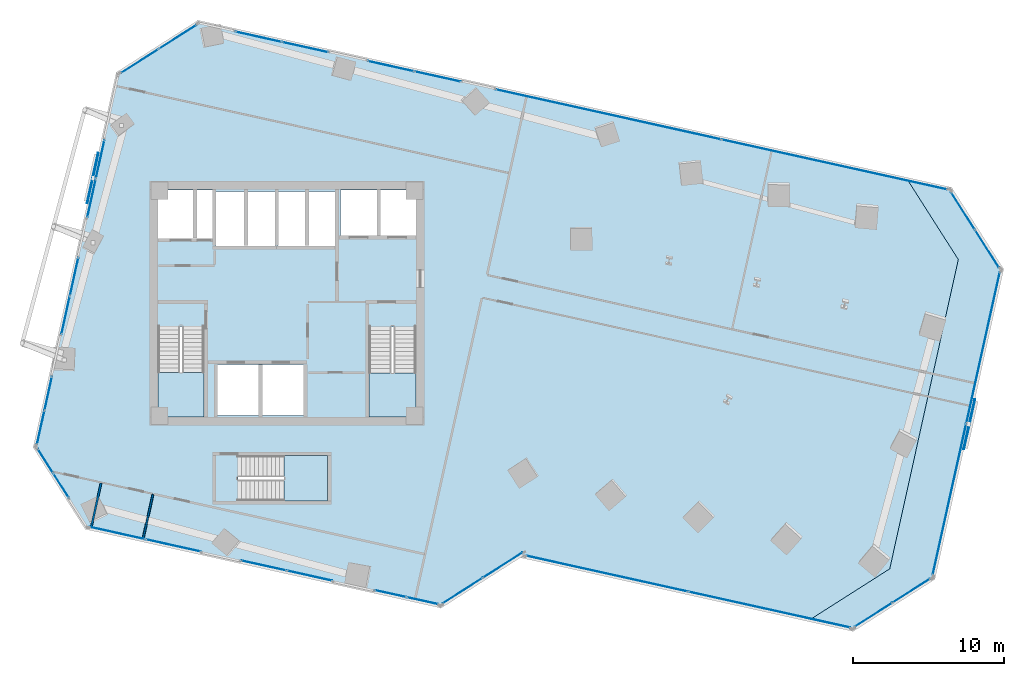
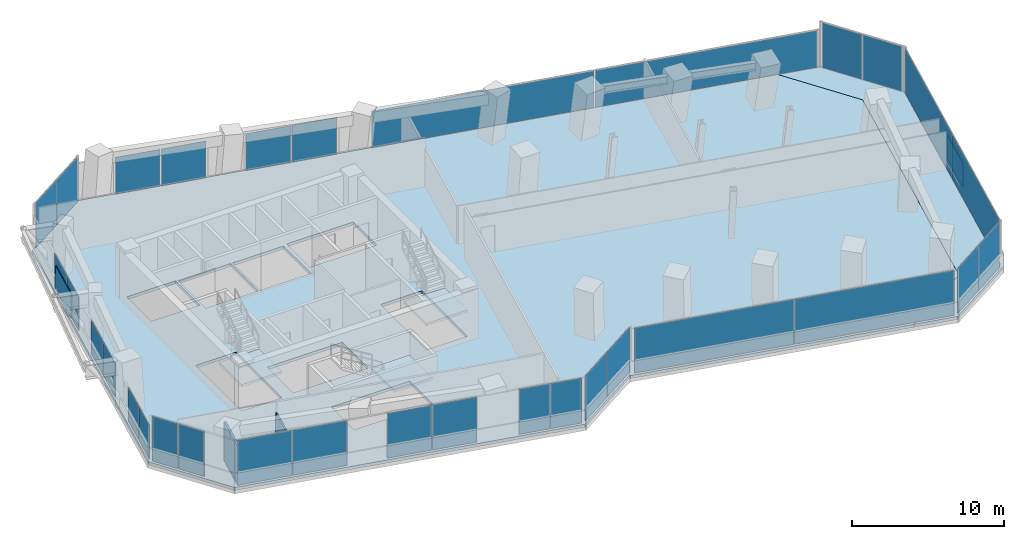
# One storey, part 20 of 26: 34 plates, 5 slabs, 2 walls, 19 elements without a shape of their own.
"""IFC4 building model written with IfcOpenShell, lengths in metres."""

from ifc_helpers import new_model, si_unit, direction, frame, frame_2d, origin, origin_2d, place, context, subcontext, project, spatial, polyline, rectangle, outline, extrude, source, transform, mapped, material, layer, layer_set, type_object, element, aggregate, save


model = new_model("IFC4")

# Units and contexts
model_context = context("Model", 3, precision=1e-05, world=origin(), true_north=direction((0.0, 1.0)))
body_context = subcontext(model_context, "Body", "Model", "MODEL_VIEW")
ifc_project = project(units=[si_unit("LENGTHUNIT", "METRE"), si_unit("AREAUNIT", "SQUARE_METRE"), si_unit("VOLUMEUNIT", "CUBIC_METRE"), si_unit("PLANEANGLEUNIT", "RADIAN"), si_unit("MASSUNIT", "GRAM", prefix="KILO")], contexts=[model_context])

# Site, building, storey
site_placement = place(None, origin())
site = spatial("IfcSite", under=ifc_project, at=site_placement, CompositionType="ELEMENT")
building_placement = place(site_placement, origin())
building = spatial("IfcBuilding", under=site, at=building_placement, Name="Torre Montelarca", CompositionType="ELEMENT")
storey_placement = place(building_placement, frame((0.0, 0.0, 95.800048828125)))
storey = spatial("IfcBuildingStorey", under=building, at=storey_placement, Name="L21", CompositionType="ELEMENT", Elevation=95.800048828125)

# Slabs
ifc_material_1 = material(Name="Concrete C40/50", Category="concrete")
ifc_layer_1 = layer(ifc_material_1, 0.239990234375, Name="Concrete C40/50", Category="concrete")
ifc_layer_set_1 = layer_set([ifc_layer_1], Name="Concrete C40/50")
slab_type_1 = type_object("IfcSlabType", Name="SL-FLR-240", PredefinedType="FLOOR", material=ifc_layer_set_1)
slab_1_placement = place(storey_placement, frame((0.0, 0.0, -0.239990234375)))
element("IfcSlab", 1, at=slab_1_placement, inside=storey, type_object=slab_type_1, Name="L21 Structural Floor Slab", PredefinedType="FLOOR", context=body_context, shape_type="SweptSolid", body=[
    extrude(outline(polyline([(28.202392578125, 11.872314453125), (33.569580078125, 15.29150390625), (33.548095703125, 15.19384765625), (52.5859375, 10.973388671875), (57.953125, 14.392578125), (62.498291015625, 34.89501953125), (59.0791015625, 40.26220703125), (12.119140625, 50.673095703125), (6.751953125, 47.253662109375), (1.25439453125, 22.455810546875), (4.673583984375, 17.08837890625), (28.202392578125, 11.872314453125)]), holes=[polyline([(20.699951171875, 18.89990234375), (14.760009765625, 18.89990234375), (14.760009765625, 21.889892578125), (20.699951171875, 21.889892578125), (20.699951171875, 18.89990234375)]), polyline([(19.10009765625, 24.550048828125), (13.39990234375, 24.550048828125), (13.39990234375, 27.949951171875), (19.10009765625, 27.949951171875), (19.10009765625, 24.550048828125)]), polyline([(23.43994140625, 24.449951171875), (23.43994140625, 30.429931640625), (26.550048828125, 30.429931640625), (26.550048828125, 24.449951171875), (23.43994140625, 24.449951171875)]), polyline([(9.449951171875, 24.449951171875), (9.449951171875, 30.4599609375), (12.5, 30.4599609375), (12.5, 24.449951171875), (9.449951171875, 24.449951171875)]), polyline([(17.25, 35.800048828125), (13.300048828125, 35.800048828125), (13.300048828125, 39.39990234375), (17.25, 39.39990234375), (17.25, 35.800048828125)]), polyline([(21.25, 35.800048828125), (17.39990234375, 35.800048828125), (17.39990234375, 39.39990234375), (21.25, 39.39990234375), (21.25, 35.800048828125)]), polyline([(13.1201171875, 36.300048828125), (9.449951171875, 36.300048828125), (9.449951171875, 39.5), (13.1201171875, 39.5), (13.1201171875, 36.300048828125)]), polyline([(26.60009765625, 36.449951171875), (21.550048828125, 36.449951171875), (21.550048828125, 39.5), (26.60009765625, 39.5), (26.60009765625, 36.449951171875)])]), origin(), (0.0, 0.0, 1.0), 0.239990234375),
])
slab_2_placement = place(storey_placement, frame((0.0, 0.0, -0.239990234375)))
element("IfcSlab", 2, at=slab_2_placement, inside=storey, type_object=slab_type_1, Name="L21 Sliding Tray Winter Garden Floor Slab E1", PredefinedType="FLOOR", context=body_context, shape_type="SweptSolid", body=[
    extrude(outline(polyline([(59.0791015625, 40.26220703125), (62.498291015625, 34.89501953125), (57.953125, 14.392578125), (52.5859375, 10.973388671875), (55.514892578125, 10.32421875), (60.882080078125, 13.743408203125), (65.42724609375, 34.24560546875), (62.0078125, 39.61279296875), (59.0791015625, 40.26220703125)])), origin(), (0.0, 0.0, 1.0), 0.239990234375),
])

# Stair, slab
stair_type_1 = type_object("IfcStairType", Name="ST-CORE-ST1", PredefinedType="HALF_TURN_STAIR", material=ifc_material_1)
stair_1_placement = place(storey_placement, origin())
stair_1 = element("IfcStair", 3, at=stair_1_placement, inside=storey, type_object=stair_type_1, Name="L21 Protected Exit Stair ST1", PredefinedType="HALF_TURN_STAIR")
ifc_layer_2 = layer(ifc_material_1, 0.199951171875, Name="Concrete C40/50", Category="concrete")
ifc_layer_set_2 = layer_set([ifc_layer_2], Name="Concrete C40/50")
slab_type_2 = type_object("IfcSlabType", Name="SL-ST-LAND-ST1", PredefinedType="LANDING", material=ifc_layer_set_2)
slab_3_placement = place(storey_placement, frame((0.0, 0.0, 1.89990234375)))
slab_3 = element("IfcSlab", 4, at=slab_3_placement, type_object=slab_type_2, Name="ST1 landing 1", PredefinedType="LANDING", context=body_context, shape_type="SweptSolid", body=[
    extrude(outline(polyline([(9.449951171875, 27.419921875), (9.449951171875, 24.449951171875), (12.5, 24.449951171875), (12.5, 27.419921875), (9.449951171875, 27.419921875)])), origin(), (0.0, 0.0, 1.0), 0.199951171875),
])
aggregate(stair_1, [slab_3])

stair_type_2 = type_object("IfcStairType", Name="ST-CORE-ST2", PredefinedType="HALF_TURN_STAIR", material=ifc_material_1)
stair_2_placement = place(storey_placement, origin())
stair_2 = element("IfcStair", 5, at=stair_2_placement, inside=storey, type_object=stair_type_2, Name="L21 Protected Exit Stair ST2", PredefinedType="HALF_TURN_STAIR")
ifc_layer_3 = layer(ifc_material_1, 0.199951171875, Name="Concrete C40/50", Category="concrete")
ifc_layer_set_3 = layer_set([ifc_layer_3], Name="Concrete C40/50")
slab_type_3 = type_object("IfcSlabType", Name="SL-ST-LAND-ST2", PredefinedType="LANDING", material=ifc_layer_set_3)
slab_4_placement = place(storey_placement, frame((0.0, 0.0, 1.89990234375)))
slab_4 = element("IfcSlab", 6, at=slab_4_placement, type_object=slab_type_3, Name="ST2 landing 1", PredefinedType="LANDING", context=body_context, shape_type="SweptSolid", body=[
    extrude(outline(polyline([(23.43994140625, 27.389892578125), (23.43994140625, 24.449951171875), (26.550048828125, 24.449951171875), (26.550048828125, 27.389892578125), (23.43994140625, 27.389892578125)])), origin(), (0.0, 0.0, 1.0), 0.199951171875),
])
aggregate(stair_2, [slab_4])

stair_type_3 = type_object("IfcStairType", Name="ST-CORE-ST3", PredefinedType="HALF_TURN_STAIR", material=ifc_material_1)
stair_3_placement = place(storey_placement, origin())
stair_3 = element("IfcStair", 7, at=stair_3_placement, inside=storey, type_object=stair_type_3, Name="L21 Low-Rise Exit Stair ST3", PredefinedType="HALF_TURN_STAIR")
ifc_layer_4 = layer(ifc_material_1, 0.199951171875, Name="Concrete C40/50", Category="concrete")
ifc_layer_set_4 = layer_set([ifc_layer_4], Name="Concrete C40/50")
slab_type_4 = type_object("IfcSlabType", Name="SL-ST-LAND-ST3", PredefinedType="LANDING", material=ifc_layer_set_4)
slab_5_placement = place(storey_placement, frame((0.0, 0.0, 1.89990234375)))
slab_5 = element("IfcSlab", 8, at=slab_5_placement, type_object=slab_type_4, Name="ST3 landing 1", PredefinedType="LANDING", context=body_context, shape_type="SweptSolid", body=[
    extrude(outline(polyline([(17.800048828125, 18.89990234375), (20.699951171875, 18.89990234375), (20.699951171875, 21.889892578125), (17.800048828125, 21.889892578125), (17.800048828125, 18.89990234375)])), origin(), (0.0, 0.0, 1.0), 0.199951171875),
])
aggregate(stair_3, [slab_5])

# Plates
ifc_material_2 = material(Name="Architectural perforated terracotta ceramic", Category="masonry")
ifc_layer_5 = layer(ifc_material_2, 0.074951171875, Name="Architectural perforated terracotta ceramic", Category="masonry")
ifc_layer_set_5 = layer_set([ifc_layer_5], Name="Architectural perforated terracotta ceramic")
plate_type_1 = type_object("IfcPlateType", Name="SCR-CER-75", PredefinedType="USERDEFINED", material=ifc_layer_set_5)
shared_shape_1 = source(origin(), body_context, "Body", "SweptSolid", [
    extrude(rectangle(XDim=3.39990234375, YDim=0.06005859375, at=origin_2d()), origin(), (0.0, 0.0, 1.0), 1.89990234375),
])
for number, where, z_axis, x_axis, name in (
    (9, (63.23291015625, 23.977294921875, 0.5), (0.0, 0.0, 1.0), (0.21643790998, 0.976296384877, 0.0), "L21 Perforated Ceramic Brise-Soleil Screen E6-1"),
    (10, (5.126220703125, 40.290771484375, 0.5), (0.0, 0.0, 1.0), (-0.216441317896, -0.97629562936, 0.0), "L21 Perforated Ceramic Brise-Soleil Screen E10-1"),
):
    element("IfcPlate", number, at=place(storey_placement, frame(where, z_axis=z_axis, x_axis=x_axis)), inside=storey, type_object=plate_type_1, Name=name, ObjectType="SOLAR SCREEN", PredefinedType="USERDEFINED", context=body_context, shape_type="MappedRepresentation", body=[
        mapped(shared_shape_1, transform((0.0, 0.0, 0.0), scale=1.0)),
    ])

# Curtain wall, plates
ifc_material_3 = material(Name="Insulated low-E laminated glass", Category="glass")
curtain_wall_type = type_object("IfcCurtainWallType", Name="CW-SYS-Z1", PredefinedType="USERDEFINED", material=ifc_material_3)
curtain_wall_1_placement = place(storey_placement, origin())
curtain_wall_1 = element("IfcCurtainWall", 11, at=curtain_wall_1_placement, inside=storey, type_object=curtain_wall_type, Name="L21 Curtain Wall Run CW-T3-L21-E02-B1", ObjectType="UNITISED GLAZING", PredefinedType="USERDEFINED")
ifc_layer_6 = layer(ifc_material_3, 0.028076171875, Name="Insulated low-E laminated glass", Category="glass")
ifc_layer_set_6 = layer_set([ifc_layer_6], Name="Insulated low-E laminated glass")
plate_type_2 = type_object("IfcPlateType", Name="CWP-GLZ-28", PredefinedType="CURTAIN_PANEL", material=ifc_layer_set_6)
shared_shape_2 = source(origin(), body_context, "Body", "SweptSolid", [
    extrude(rectangle(XDim=3.102294921875, YDim=0.028076171875, at=origin_2d()), origin(), (0.0, 0.0, 1.0), 3.590087890625),
])
plate_1_placement = place(storey_placement, frame((29.635498046875, 12.939208984375, 0.06494140625), z_axis=(0.0, 0.0, 1.0), x_axis=(0.843383425571, 0.537312197398, 0.0)))
plate_1 = element("IfcPlate", 12, at=plate_1_placement, type_object=plate_type_2, Name="CW panel 1.1", PredefinedType="CURTAIN_PANEL", context=body_context, shape_type="MappedRepresentation", body=[
    mapped(shared_shape_2, transform((0.0, 0.0, 0.0), scale=1.0)),
])
plate_2_placement = place(storey_placement, frame((32.306884765625, 14.64111328125, 0.06494140625), z_axis=(0.0, 0.0, 1.0), x_axis=(0.843383425571, 0.537312197398, 0.0)))
plate_2 = element("IfcPlate", 13, at=plate_2_placement, type_object=plate_type_2, Name="CW panel 2.1", PredefinedType="CURTAIN_PANEL", context=body_context, shape_type="MappedRepresentation", body=[
    mapped(shared_shape_2, transform((0.0, 0.0, 0.0), scale=1.0)),
])
aggregate(curtain_wall_1, [plate_1, plate_2])

curtain_wall_2_placement = place(storey_placement, origin())
curtain_wall_2 = element("IfcCurtainWall", 14, at=curtain_wall_2_placement, inside=storey, type_object=curtain_wall_type, Name="L21 Curtain Wall Run CW-T3-L21-E04-B1", ObjectType="UNITISED GLAZING", PredefinedType="USERDEFINED")
shared_shape_3 = source(origin(), body_context, "Body", "SweptSolid", [
    extrude(rectangle(XDim=10.94873046875, YDim=0.028076171875, at=origin_2d()), origin(), (0.0, 0.0, 1.0), 3.590087890625),
])
plate_3_placement = place(storey_placement, frame((39.220458984375, 14.069580078125, 0.06494140625), z_axis=(0.0, 0.0, 1.0), x_axis=(0.976296635237, -0.216436780664, 0.0)))
plate_3 = element("IfcPlate", 15, at=plate_3_placement, type_object=plate_type_2, Name="CW panel 1.1", PredefinedType="CURTAIN_PANEL", context=body_context, shape_type="MappedRepresentation", body=[
    mapped(shared_shape_3, transform((0.0, 0.0, 0.0), scale=1.0)),
])
plate_4_placement = place(storey_placement, frame((49.97314453125, 11.685791015625, 0.06494140625), z_axis=(0.0, 0.0, 1.0), x_axis=(0.976296635237, -0.216436780664, 0.0)))
plate_4 = element("IfcPlate", 16, at=plate_4_placement, type_object=plate_type_2, Name="CW panel 2.1", PredefinedType="CURTAIN_PANEL", context=body_context, shape_type="MappedRepresentation", body=[
    mapped(shared_shape_3, transform((0.0, 0.0, 0.0), scale=1.0)),
])
aggregate(curtain_wall_2, [plate_3, plate_4])

curtain_wall_3_placement = place(storey_placement, origin())
curtain_wall_3 = element("IfcCurtainWall", 17, at=curtain_wall_3_placement, inside=storey, type_object=curtain_wall_type, Name="L21 Curtain Wall Run CW-T3-L21-E05-B1", ObjectType="UNITISED GLAZING", PredefinedType="USERDEFINED")
shared_shape_4 = source(origin(), body_context, "Body", "SweptSolid", [
    extrude(rectangle(XDim=2.918701171875, YDim=0.028076171875, at=origin_2d()), origin(), (0.0, 0.0, 1.0), 3.590087890625),
])
plate_5_placement = place(storey_placement, frame((56.870361328125, 11.341796875, 0.06494140625), z_axis=(0.0, 0.0, 1.0), x_axis=(0.843388340222, 0.537304483117, 0.0)))
plate_5 = element("IfcPlate", 18, at=plate_5_placement, type_object=plate_type_2, Name="CW panel 1.1", PredefinedType="CURTAIN_PANEL", context=body_context, shape_type="MappedRepresentation", body=[
    mapped(shared_shape_4, transform((0.0, 0.0, 0.0), scale=1.0)),
])
plate_6_placement = place(storey_placement, frame((59.38671875, 12.945068359375, 0.06494140625), z_axis=(0.0, 0.0, 1.0), x_axis=(0.843388340222, 0.537304483117, 0.0)))
plate_6 = element("IfcPlate", 19, at=plate_6_placement, type_object=plate_type_2, Name="CW panel 2.1", PredefinedType="CURTAIN_PANEL", context=body_context, shape_type="MappedRepresentation", body=[
    mapped(shared_shape_4, transform((0.0, 0.0, 0.0), scale=1.0)),
])
aggregate(curtain_wall_3, [plate_5, plate_6])

curtain_wall_4_placement = place(storey_placement, origin())
curtain_wall_4 = element("IfcCurtainWall", 20, at=curtain_wall_4_placement, inside=storey, type_object=curtain_wall_type, Name="L21 Curtain Wall Run CW-T3-L21-E07-B1", ObjectType="UNITISED GLAZING", PredefinedType="USERDEFINED")
plate_7_placement = place(storey_placement, frame((64.409423828125, 35.601318359375, 0.06494140625), z_axis=(0.0, 0.0, 1.0), x_axis=(-0.537316274487, 0.843380828079, 0.0)))
plate_7 = element("IfcPlate", 21, at=plate_7_placement, type_object=plate_type_2, Name="CW panel 1.1", PredefinedType="CURTAIN_PANEL", context=body_context, shape_type="MappedRepresentation", body=[
    mapped(shared_shape_4, transform((0.0, 0.0, 0.0), scale=1.0)),
])
plate_8_placement = place(storey_placement, frame((62.806396484375, 38.11767578125, 0.06494140625), z_axis=(0.0, 0.0, 1.0), x_axis=(-0.537316274487, 0.843380828079, 0.0)))
plate_8 = element("IfcPlate", 22, at=plate_8_placement, type_object=plate_type_2, Name="CW panel 2.1", PredefinedType="CURTAIN_PANEL", context=body_context, shape_type="MappedRepresentation", body=[
    mapped(shared_shape_4, transform((0.0, 0.0, 0.0), scale=1.0)),
])
aggregate(curtain_wall_4, [plate_7, plate_8])

curtain_wall_5_placement = place(storey_placement, origin())
curtain_wall_5 = element("IfcCurtainWall", 23, at=curtain_wall_5_placement, inside=storey, type_object=curtain_wall_type, Name="L21 Curtain Wall Run CW-T3-L21-E09-B1", ObjectType="UNITISED GLAZING", PredefinedType="USERDEFINED")
plate_9_placement = place(storey_placement, frame((10.763671875, 49.6552734375, 0.06494140625), z_axis=(0.0, 0.0, 1.0), x_axis=(-0.843380828079, -0.537316274487, 0.0)))
plate_9 = element("IfcPlate", 24, at=plate_9_placement, type_object=plate_type_2, Name="CW panel 1.1", PredefinedType="CURTAIN_PANEL", context=body_context, shape_type="MappedRepresentation", body=[
    mapped(shared_shape_4, transform((0.0, 0.0, 0.0), scale=1.0)),
])
plate_10_placement = place(storey_placement, frame((8.247314453125, 48.052001953125, 0.06494140625), z_axis=(0.0, 0.0, 1.0), x_axis=(-0.843380828079, -0.537316274487, 0.0)))
plate_10 = element("IfcPlate", 25, at=plate_10_placement, type_object=plate_type_2, Name="CW panel 2.1", PredefinedType="CURTAIN_PANEL", context=body_context, shape_type="MappedRepresentation", body=[
    mapped(shared_shape_4, transform((0.0, 0.0, 0.0), scale=1.0)),
])
aggregate(curtain_wall_5, [plate_9, plate_10])

curtain_wall_6_placement = place(storey_placement, origin())
curtain_wall_6 = element("IfcCurtainWall", 26, at=curtain_wall_6_placement, inside=storey, type_object=curtain_wall_type, Name="L21 Curtain Wall Run CW-T3-L21-E01-B2", ObjectType="UNITISED GLAZING", PredefinedType="USERDEFINED")
shared_shape_5 = source(origin(), body_context, "Body", "SweptSolid", [
    extrude(rectangle(XDim=3.04443359375, YDim=0.028076171875, at=origin_2d()), origin(), (0.0, 0.0, 1.0), 3.590087890625),
])
plate_11_placement = place(storey_placement, frame((16.459228515625, 14.60888671875, 0.06494140625), z_axis=(0.0, 0.0, 1.0), x_axis=(0.976298515185, -0.216428300478, 0.0)))
plate_11 = element("IfcPlate", 27, at=plate_11_placement, type_object=plate_type_2, Name="CW panel 1.1", PredefinedType="CURTAIN_PANEL", context=body_context, shape_type="MappedRepresentation", body=[
    mapped(shared_shape_5, transform((0.0, 0.0, 0.0), scale=1.0)),
])
plate_12_placement = place(storey_placement, frame((19.494873046875, 13.935791015625, 0.06494140625), z_axis=(0.0, 0.0, 1.0), x_axis=(0.976298515185, -0.216428300478, 0.0)))
plate_12 = element("IfcPlate", 28, at=plate_12_placement, type_object=plate_type_2, Name="CW panel 2.1", PredefinedType="CURTAIN_PANEL", context=body_context, shape_type="MappedRepresentation", body=[
    mapped(shared_shape_5, transform((0.0, 0.0, 0.0), scale=1.0)),
])
aggregate(curtain_wall_6, [plate_11, plate_12])

curtain_wall_7_placement = place(storey_placement, origin())
curtain_wall_7 = element("IfcCurtainWall", 29, at=curtain_wall_7_placement, inside=storey, type_object=curtain_wall_type, Name="L21 Curtain Wall Run CW-T3-L21-E08-B1", ObjectType="UNITISED GLAZING", PredefinedType="USERDEFINED")
shared_shape_6 = source(origin(), body_context, "Body", "SweptSolid", [
    extrude(rectangle(XDim=15.2900390625, YDim=0.028076171875, at=origin_2d()), origin(), (0.0, 0.0, 1.0), 2.945068359375),
])
plate_13_placement = place(storey_placement, frame((54.290771484375, 41.190673828125, 0.06494140625), z_axis=(0.0, 0.0, 1.0), x_axis=(-0.976295505787, 0.216441875294, 0.0)))
plate_13 = element("IfcPlate", 30, at=plate_13_placement, type_object=plate_type_2, Name="CW panel 1.1", PredefinedType="CURTAIN_PANEL", context=body_context, shape_type="MappedRepresentation", body=[
    mapped(shared_shape_6, transform((0.0, 0.0, 0.0), scale=1.0)),
])
plate_14_placement = place(storey_placement, frame((39.299560546875, 44.513916015625, 0.06494140625), z_axis=(0.0, 0.0, 1.0), x_axis=(-0.976295505787, 0.216441875294, 0.0)))
plate_14 = element("IfcPlate", 31, at=plate_14_placement, type_object=plate_type_2, Name="CW panel 2.1", PredefinedType="CURTAIN_PANEL", context=body_context, shape_type="MappedRepresentation", body=[
    mapped(shared_shape_6, transform((0.0, 0.0, 0.0), scale=1.0)),
])
aggregate(curtain_wall_7, [plate_13, plate_14])

curtain_wall_8_placement = place(storey_placement, origin())
curtain_wall_8 = element("IfcCurtainWall", 32, at=curtain_wall_8_placement, inside=storey, type_object=curtain_wall_type, Name="L21 Curtain Wall Run CW-T3-L21-E08-B2", ObjectType="UNITISED GLAZING", PredefinedType="USERDEFINED")
shared_shape_7 = source(origin(), body_context, "Body", "SweptSolid", [
    extrude(rectangle(XDim=3.10498046875, YDim=0.028076171875, at=origin_2d()), origin(), (0.0, 0.0, 1.0), 2.945068359375),
])
plate_15_placement = place(storey_placement, frame((27.98681640625, 47.02197265625, 0.06494140625), z_axis=(0.0, 0.0, 1.0), x_axis=(-0.976295310827, 0.216442754689, 0.0)))
plate_15 = element("IfcPlate", 33, at=plate_15_placement, type_object=plate_type_2, Name="CW panel 1.1", PredefinedType="CURTAIN_PANEL", context=body_context, shape_type="MappedRepresentation", body=[
    mapped(shared_shape_7, transform((0.0, 0.0, 0.0), scale=1.0)),
])
plate_16_placement = place(storey_placement, frame((24.891845703125, 47.7080078125, 0.06494140625), z_axis=(0.0, 0.0, 1.0), x_axis=(-0.976295310827, 0.216442754689, 0.0)))
plate_16 = element("IfcPlate", 34, at=plate_16_placement, type_object=plate_type_2, Name="CW panel 2.1", PredefinedType="CURTAIN_PANEL", context=body_context, shape_type="MappedRepresentation", body=[
    mapped(shared_shape_7, transform((0.0, 0.0, 0.0), scale=1.0)),
])
aggregate(curtain_wall_8, [plate_15, plate_16])

curtain_wall_9_placement = place(storey_placement, origin())
curtain_wall_9 = element("IfcCurtainWall", 35, at=curtain_wall_9_placement, inside=storey, type_object=curtain_wall_type, Name="L21 Curtain Wall Run CW-T3-L21-E08-B3", ObjectType="UNITISED GLAZING", PredefinedType="USERDEFINED")
shared_shape_8 = source(origin(), body_context, "Body", "SweptSolid", [
    extrude(rectangle(XDim=3.101806640625, YDim=0.028076171875, at=origin_2d()), origin(), (0.0, 0.0, 1.0), 2.945068359375),
])
plate_17_placement = place(storey_placement, frame((19.203857421875, 48.96923828125, 0.06494140625), z_axis=(0.0, 0.0, 1.0), x_axis=(-0.97629358171, 0.216450553965, 0.0)))
plate_17 = element("IfcPlate", 36, at=plate_17_placement, type_object=plate_type_2, Name="CW panel 1.1", PredefinedType="CURTAIN_PANEL", context=body_context, shape_type="MappedRepresentation", body=[
    mapped(shared_shape_8, transform((0.0, 0.0, 0.0), scale=1.0)),
])
plate_18_placement = place(storey_placement, frame((16.112060546875, 49.654541015625, 0.06494140625), z_axis=(0.0, 0.0, 1.0), x_axis=(-0.97629358171, 0.216450553965, 0.0)))
plate_18 = element("IfcPlate", 37, at=plate_18_placement, type_object=plate_type_2, Name="CW panel 2.1", PredefinedType="CURTAIN_PANEL", context=body_context, shape_type="MappedRepresentation", body=[
    mapped(shared_shape_8, transform((0.0, 0.0, 0.0), scale=1.0)),
])
aggregate(curtain_wall_9, [plate_17, plate_18])

curtain_wall_10_placement = place(storey_placement, origin())
curtain_wall_10 = element("IfcCurtainWall", 38, at=curtain_wall_10_placement, inside=storey, type_object=curtain_wall_type, Name="L21 Curtain Wall Run CW-T3-L21-E10-B1", ObjectType="UNITISED GLAZING", PredefinedType="USERDEFINED")
shared_shape_9 = source(origin(), body_context, "Body", "SweptSolid", [
    extrude(rectangle(XDim=2.587890625, YDim=0.028076171875, at=origin_2d()), origin(), (0.0, 0.0, 1.0), 2.64501953125),
])
plate_19_placement = place(storey_placement, frame((5.618408203125, 41.540283203125, 0.06494140625), z_axis=(0.0, 0.0, 1.0), x_axis=(-0.216433616394, -0.976297336724, 0.0)))
plate_19 = element("IfcPlate", 39, at=plate_19_placement, type_object=plate_type_2, Name="CW panel 1.1", PredefinedType="CURTAIN_PANEL", context=body_context, shape_type="MappedRepresentation", body=[
    mapped(shared_shape_9, transform((0.0, 0.0, 0.0), scale=1.0)),
])
plate_20_placement = place(storey_placement, frame((5.04443359375, 38.9501953125, 0.06494140625), z_axis=(0.0, 0.0, 1.0), x_axis=(-0.216433616394, -0.976297336724, 0.0)))
plate_20 = element("IfcPlate", 40, at=plate_20_placement, type_object=plate_type_2, Name="CW panel 2.1", PredefinedType="CURTAIN_PANEL", context=body_context, shape_type="MappedRepresentation", body=[
    mapped(shared_shape_9, transform((0.0, 0.0, 0.0), scale=1.0)),
])
aggregate(curtain_wall_10, [plate_19, plate_20])

curtain_wall_11_placement = place(storey_placement, origin())
curtain_wall_11 = element("IfcCurtainWall", 41, at=curtain_wall_11_placement, inside=storey, type_object=curtain_wall_type, Name="L21 Curtain Wall Run CW-T3-L21-E10-B2", ObjectType="UNITISED GLAZING", PredefinedType="USERDEFINED")
shared_shape_10 = source(origin(), body_context, "Body", "SweptSolid", [
    extrude(rectangle(XDim=2.547607421875, YDim=0.028076171875, at=origin_2d()), origin(), (0.0, 0.0, 1.0), 2.64501953125),
])
plate_21_placement = place(storey_placement, frame((3.891845703125, 33.75146484375, 0.06494140625), z_axis=(0.0, 0.0, 1.0), x_axis=(-0.216446054537, -0.976294579251, 0.0)))
plate_21 = element("IfcPlate", 42, at=plate_21_placement, type_object=plate_type_2, Name="CW panel 1.1", PredefinedType="CURTAIN_PANEL", context=body_context, shape_type="MappedRepresentation", body=[
    mapped(shared_shape_10, transform((0.0, 0.0, 0.0), scale=1.0)),
])
plate_22_placement = place(storey_placement, frame((3.326171875, 31.200927734375, 0.06494140625), z_axis=(0.0, 0.0, 1.0), x_axis=(-0.216446054537, -0.976294579251, 0.0)))
plate_22 = element("IfcPlate", 43, at=plate_22_placement, type_object=plate_type_2, Name="CW panel 2.1", PredefinedType="CURTAIN_PANEL", context=body_context, shape_type="MappedRepresentation", body=[
    mapped(shared_shape_10, transform((0.0, 0.0, 0.0), scale=1.0)),
])
aggregate(curtain_wall_11, [plate_21, plate_22])

curtain_wall_12_placement = place(storey_placement, origin())
curtain_wall_12 = element("IfcCurtainWall", 44, at=curtain_wall_12_placement, inside=storey, type_object=curtain_wall_type, Name="L21 Curtain Wall Run CW-T3-L21-E10-B3", ObjectType="UNITISED GLAZING", PredefinedType="USERDEFINED")
shared_shape_11 = source(origin(), body_context, "Body", "SweptSolid", [
    extrude(rectangle(XDim=2.251953125, YDim=0.028076171875, at=origin_2d()), origin(), (0.0, 0.0, 1.0), 2.64501953125),
])
plate_23_placement = place(storey_placement, frame((2.17626953125, 26.01416015625, 0.06494140625), z_axis=(0.0, 0.0, 1.0), x_axis=(-0.216439188886, -0.976296101352, 0.0)))
plate_23 = element("IfcPlate", 45, at=plate_23_placement, type_object=plate_type_2, Name="CW panel 1.1", PredefinedType="CURTAIN_PANEL", context=body_context, shape_type="MappedRepresentation", body=[
    mapped(shared_shape_11, transform((0.0, 0.0, 0.0), scale=1.0)),
])
plate_24_placement = place(storey_placement, frame((1.6748046875, 23.752197265625, 0.06494140625), z_axis=(0.0, 0.0, 1.0), x_axis=(-0.216439188886, -0.976296101352, 0.0)))
plate_24 = element("IfcPlate", 46, at=plate_24_placement, type_object=plate_type_2, Name="CW panel 2.1", PredefinedType="CURTAIN_PANEL", context=body_context, shape_type="MappedRepresentation", body=[
    mapped(shared_shape_11, transform((0.0, 0.0, 0.0), scale=1.0)),
])
aggregate(curtain_wall_12, [plate_23, plate_24])

curtain_wall_13_placement = place(storey_placement, origin())
curtain_wall_13 = element("IfcCurtainWall", 47, at=curtain_wall_13_placement, inside=storey, type_object=curtain_wall_type, Name="L21 Curtain Wall Run CW-T3-L21-E11-B1", ObjectType="UNITISED GLAZING", PredefinedType="USERDEFINED")
shared_shape_12 = source(origin(), body_context, "Body", "SweptSolid", [
    extrude(rectangle(XDim=1.870849609375, YDim=0.028076171875, at=origin_2d()), origin(), (0.0, 0.0, 1.0), 3.590087890625),
])
plate_25_placement = place(storey_placement, frame((1.990478515625, 21.5419921875, 0.06494140625), z_axis=(0.0, 0.0, 1.0), x_axis=(0.537317553679, -0.843380013107, 0.0)))
plate_25 = element("IfcPlate", 48, at=plate_25_placement, type_object=plate_type_2, Name="CW panel 1.1", PredefinedType="CURTAIN_PANEL", context=body_context, shape_type="MappedRepresentation", body=[
    mapped(shared_shape_12, transform((0.0, 0.0, 0.0), scale=1.0)),
])
plate_26_placement = place(storey_placement, frame((3.03076171875, 19.9091796875, 0.06494140625), z_axis=(0.0, 0.0, 1.0), x_axis=(0.537317553679, -0.843380013107, 0.0)))
plate_26 = element("IfcPlate", 49, at=plate_26_placement, type_object=plate_type_2, Name="CW panel 2.1", PredefinedType="CURTAIN_PANEL", context=body_context, shape_type="MappedRepresentation", body=[
    mapped(shared_shape_12, transform((0.0, 0.0, 0.0), scale=1.0)),
])
aggregate(curtain_wall_13, [plate_25, plate_26])

curtain_wall_14_placement = place(storey_placement, origin())
curtain_wall_14 = element("IfcCurtainWall", 50, at=curtain_wall_14_placement, inside=storey, type_object=curtain_wall_type, Name="L21 Curtain Wall Run CW-T3-L21-E06-B1", ObjectType="UNITISED GLAZING", PredefinedType="USERDEFINED")
shared_shape_13 = source(origin(), body_context, "Body", "SweptSolid", [
    extrude(rectangle(XDim=10.23681640625, YDim=0.028076171875, at=origin_2d()), origin(), (0.0, 0.0, 1.0), 3.590087890625),
])
plate_27_placement = place(storey_placement, frame((61.912841796875, 18.993896484375, 0.06494140625), z_axis=(0.0, 0.0, 1.0), x_axis=(0.216441193422, 0.976295656956, 0.0)))
plate_27 = element("IfcPlate", 51, at=plate_27_placement, type_object=plate_type_2, Name="CW panel 1.1", PredefinedType="CURTAIN_PANEL", context=body_context, shape_type="MappedRepresentation", body=[
    mapped(shared_shape_13, transform((0.0, 0.0, 0.0), scale=1.0)),
])
plate_28_placement = place(storey_placement, frame((64.142578125, 29.051513671875, 0.06494140625), z_axis=(0.0, 0.0, 1.0), x_axis=(0.216441193422, 0.976295656956, 0.0)))
plate_28 = element("IfcPlate", 52, at=plate_28_placement, type_object=plate_type_2, Name="CW panel 2.1", PredefinedType="CURTAIN_PANEL", context=body_context, shape_type="MappedRepresentation", body=[
    mapped(shared_shape_13, transform((0.0, 0.0, 0.0), scale=1.0)),
])
aggregate(curtain_wall_14, [plate_27, plate_28])

curtain_wall_15_placement = place(storey_placement, origin())
curtain_wall_15 = element("IfcCurtainWall", 53, at=curtain_wall_15_placement, inside=storey, type_object=curtain_wall_type, Name="L21 Curtain Wall Run CW-T3-L21-E01-B1", ObjectType="UNITISED GLAZING", PredefinedType="USERDEFINED")
shared_shape_14 = source(origin(), body_context, "Body", "SweptSolid", [
    extrude(rectangle(XDim=3.731201171875, YDim=0.028076171875, at=origin_2d()), origin(), (0.0, 0.0, 1.0), 3.590087890625),
])
plate_29_placement = place(storey_placement, frame((6.74853515625, 16.76171875, 0.06494140625), z_axis=(0.0, 0.0, 1.0), x_axis=(0.976294488201, -0.216446465224, 0.0)))
plate_29 = element("IfcPlate", 54, at=plate_29_placement, type_object=plate_type_2, Name="CW panel 1.1", PredefinedType="CURTAIN_PANEL", context=body_context, shape_type="MappedRepresentation", body=[
    mapped(shared_shape_14, transform((0.0, 0.0, 0.0), scale=1.0)),
])
plate_30_placement = place(storey_placement, frame((10.45458984375, 15.93994140625, 0.06494140625), z_axis=(0.0, 0.0, 1.0), x_axis=(0.976294488201, -0.216446465224, 0.0)))
plate_30 = element("IfcPlate", 55, at=plate_30_placement, type_object=plate_type_2, Name="CW panel 2.1", PredefinedType="CURTAIN_PANEL", context=body_context, shape_type="MappedRepresentation", body=[
    mapped(shared_shape_14, transform((0.0, 0.0, 0.0), scale=1.0)),
])
aggregate(curtain_wall_15, [plate_29, plate_30])

curtain_wall_16_placement = place(storey_placement, origin())
curtain_wall_16 = element("IfcCurtainWall", 56, at=curtain_wall_16_placement, inside=storey, type_object=curtain_wall_type, Name="L21 Curtain Wall Run CW-T3-L21-E01-B3", ObjectType="UNITISED GLAZING", PredefinedType="USERDEFINED")
shared_shape_15 = source(origin(), body_context, "Body", "SweptSolid", [
    extrude(rectangle(XDim=2.10546875, YDim=0.028076171875, at=origin_2d()), origin(), (0.0, 0.0, 1.0), 3.590087890625),
])
plate_31_placement = place(storey_placement, frame((24.858642578125, 12.74658203125, 0.06494140625), z_axis=(0.0, 0.0, 1.0), x_axis=(0.976294820154, -0.216444967924, 0.0)))
plate_31 = element("IfcPlate", 57, at=plate_31_placement, type_object=plate_type_2, Name="CW panel 1.1", PredefinedType="CURTAIN_PANEL", context=body_context, shape_type="MappedRepresentation", body=[
    mapped(shared_shape_15, transform((0.0, 0.0, 0.0), scale=1.0)),
])
plate_32_placement = place(storey_placement, frame((26.9775390625, 12.27685546875, 0.06494140625), z_axis=(0.0, 0.0, 1.0), x_axis=(0.976294820154, -0.216444967924, 0.0)))
plate_32 = element("IfcPlate", 58, at=plate_32_placement, type_object=plate_type_2, Name="CW panel 2.1", PredefinedType="CURTAIN_PANEL", context=body_context, shape_type="MappedRepresentation", body=[
    mapped(shared_shape_15, transform((0.0, 0.0, 0.0), scale=1.0)),
])
aggregate(curtain_wall_16, [plate_31, plate_32])

# Walls
ifc_material_4 = material(Name="Gypsum plasterboard on steel stud", Category="steel")
ifc_layer_7 = layer(ifc_material_4, 0.114990234375, Name="Gypsum plasterboard on steel stud", Category="steel")
ifc_layer_set_7 = layer_set([ifc_layer_7], Name="Gypsum plasterboard on steel stud")
wall_type_1 = type_object("IfcWallType", Name="PW-PART-115", PredefinedType="PARTITIONING", material=ifc_layer_set_7)
wall_1_placement = place(storey_placement, frame((8.471435546875, 16.430908203125, 0.0), z_axis=(0.0, 0.0, 1.0), x_axis=(0.216441341477, 0.976295624132, 0.0)))
element("IfcWall", 59, at=wall_1_placement, inside=storey, type_object=wall_type_1, Name="L21 Interior Partition W-L21-SWCDIV", PredefinedType="PARTITIONING", context=body_context, shape_type="SweptSolid", body=[
    extrude(rectangle(XDim=2.959716796875, YDim=0.114990234375, at=frame_2d((1.47998046875, 0.0))), origin(), (0.0, 0.0, 1.0), 3.094970703125),
])
ifc_layer_8 = layer(ifc_material_4, 0.135009765625, Name="Gypsum plasterboard on steel stud", Category="steel")
ifc_layer_set_8 = layer_set([ifc_layer_8], Name="Gypsum plasterboard on steel stud")
wall_type_2 = type_object("IfcWallType", Name="PW-PART-135", PredefinedType="PARTITIONING", material=ifc_layer_set_8)
wall_2_placement = place(storey_placement, frame((5.034912109375, 17.19287109375, 0.0), z_axis=(0.0, 0.0, 1.0), x_axis=(0.21636271828, 0.9763130513, 0.0)))
element("IfcWall", 60, at=wall_2_placement, inside=storey, type_object=wall_type_2, Name="L21 Interior Partition W-L21-WCD", PredefinedType="PARTITIONING", context=body_context, shape_type="SweptSolid", body=[
    extrude(rectangle(XDim=2.959716796875, YDim=0.135009765625, at=frame_2d((1.47998046875, 0.0))), origin(), (0.0, 0.0, 1.0), 3.094970703125),
])

save(model, "model.ifc")
